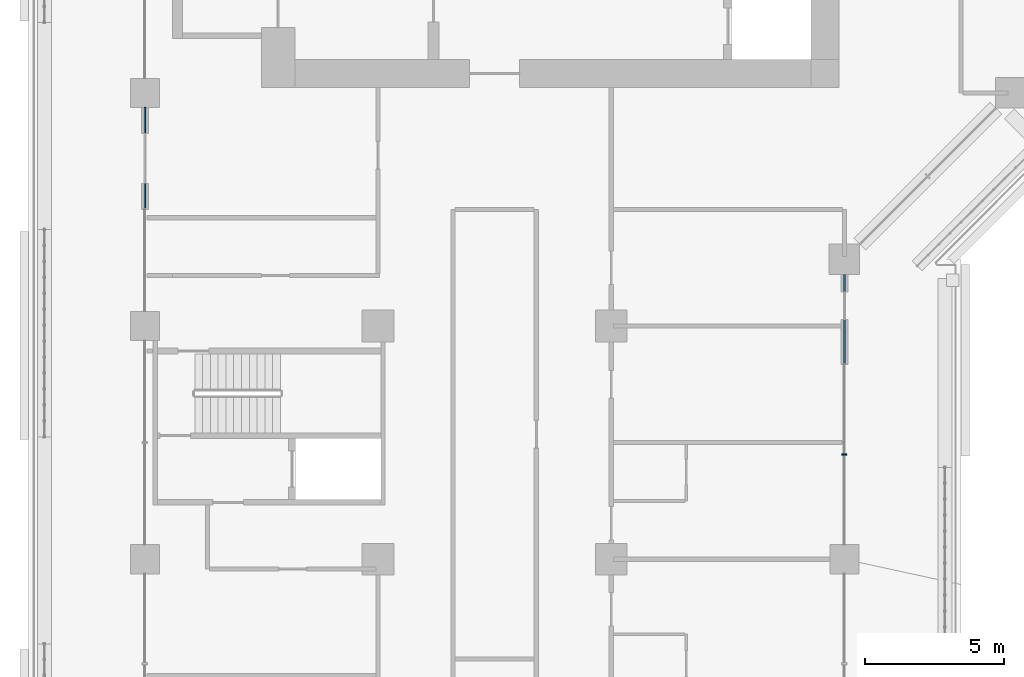
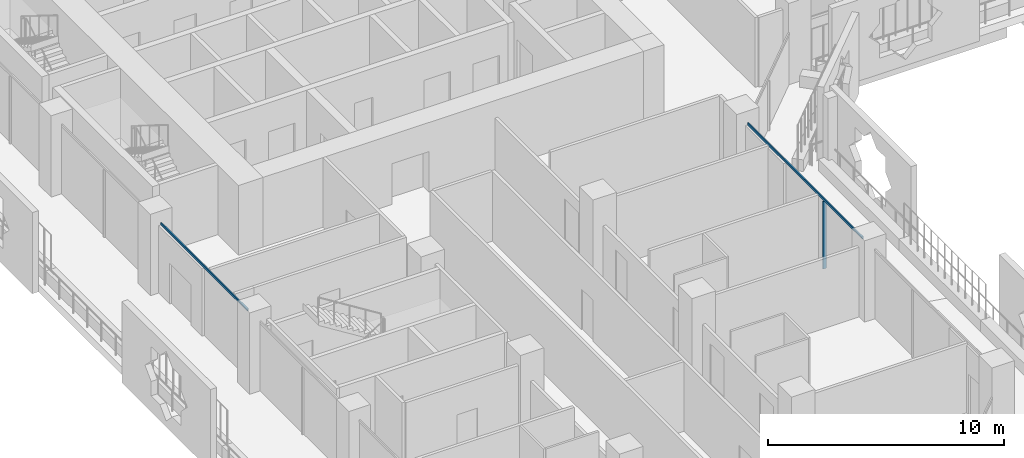
# One storey, part 3 of 25: 3 members, 2 elements without a shape of their own.
"""IFC4 building model written with IfcOpenShell, lengths in metres."""

from ifc_helpers import new_model, si_unit, direction, frame, origin, origin_2d, place, context, subcontext, project, spatial, rectangle, extrude, material, layer, layer_set, material_profile, profile_set, type_object, element, aggregate, save


model = new_model("IFC4")

# Units and contexts
model_context = context("Model", 3, precision=1e-05, world=origin(), true_north=direction((0.0, 1.0)))
body_context = subcontext(model_context, "Body", "Model", "MODEL_VIEW")
ifc_project = project(units=[si_unit("LENGTHUNIT", "METRE"), si_unit("AREAUNIT", "SQUARE_METRE"), si_unit("VOLUMEUNIT", "CUBIC_METRE"), si_unit("PLANEANGLEUNIT", "RADIAN"), si_unit("MASSUNIT", "GRAM", prefix="KILO")], contexts=[model_context])

# Site, building, storey
site_placement = place(None, origin())
site = spatial("IfcSite", under=ifc_project, at=site_placement, CompositionType="ELEMENT")
building_placement = place(site_placement, origin())
building = spatial("IfcBuilding", under=site, at=building_placement, Name="Kawkab Arch Medical Tower", CompositionType="ELEMENT")
storey_placement = place(building_placement, frame((0.0, 0.0, 140.800048828125)))
storey = spatial("IfcBuildingStorey", under=building, at=storey_placement, Name="L32", CompositionType="ELEMENT", Elevation=140.800048828125)

# Curtain wall, member
ifc_material_1 = material(Name="Bronze anodised aluminium curtain wall frame", Category="aluminium")
ifc_layer = layer(ifc_material_1, 0.159912109375)
ifc_layer_set = layer_set([ifc_layer], Name="Bronze anodised aluminium curtain wall frame")
curtain_wall_type = type_object("IfcCurtainWallType", Name="CW1 ward curtain wall", PredefinedType="NOTDEFINED", material=ifc_layer_set)
placement = place(storey_placement, origin())
curtain_wall_1 = element("IfcCurtainWall", 1, at=placement, inside=storey, type_object=curtain_wall_type, Name="CW1 Ward curtain wall R05", PredefinedType="NOTDEFINED")
ifc_material_2 = material(Name="Bronze anodised aluminium curtain wall frame", Category="aluminium")
ifc_material_profile_1 = material_profile(ifc_material_2, rectangle(XDim=0.179931640625, YDim=0.06005859375, at=origin_2d()), Name="AL 60x180")
ifc_profile_set_1 = profile_set([ifc_material_profile_1], Name="Bronze anodised aluminium curtain wall frame")
member_type_1 = type_object("IfcMemberType", Name="CW1 mullion 60 x 180", PredefinedType="MULLION", material=ifc_profile_set_1)
member_1_placement = place(storey_placement, frame((25.199951171875, -38.2333984375, 0.0), z_axis=(0.0, 0.0, 1.0), x_axis=(-1.0, 0.0, 0.0)))
member_1 = element("IfcMember", 2, at=member_1_placement, type_object=member_type_1, Name="CW1 mullion 2.1", PredefinedType="MULLION", context=body_context, shape_type="SweptSolid", body=[
    extrude(rectangle(XDim=0.179931640625, YDim=0.06005859375, at=origin_2d()), origin(), (0.0, 0.0, 1.0), 3.47998046875),
])

curtain_wall_2 = element("IfcCurtainWall", 3, at=placement, inside=storey, type_object=curtain_wall_type, Name="CW1 Ward curtain wall R01", PredefinedType="NOTDEFINED")
ifc_material_3 = material(Name="Bronze anodised aluminium curtain wall frame", Category="aluminium")
ifc_material_profile_2 = material_profile(ifc_material_3, rectangle(XDim=0.06005859375, YDim=0.1201171875, at=origin_2d()), Name="AL 60x120")
ifc_profile_set_2 = profile_set([ifc_material_profile_2], Name="Bronze anodised aluminium curtain wall frame")
member_type_2 = type_object("IfcMemberType", Name="CW1 transom 120 x 60", PredefinedType="USERDEFINED", material=ifc_profile_set_2)
member_2_placement = place(storey_placement, frame((0.0, -25.72509765625, 3.5400390625), z_axis=(0.0, -1.0, 0.0), x_axis=(1.0, 0.0, 0.0)))
member_2 = element("IfcMember", 4, at=member_2_placement, type_object=member_type_2, Name="CW1 transom 4", ObjectType="TRANSOM", PredefinedType="USERDEFINED", context=body_context, shape_type="SweptSolid", body=[
    extrude(rectangle(XDim=0.06005859375, YDim=0.1201171875, at=origin_2d()), origin(), (0.0, 0.0, 1.0), 7.349853515625),
])
aggregate(curtain_wall_2, [member_2])

# Member
member_3_placement = place(storey_placement, frame((25.199951171875, -41.47509765625, 3.5400390625), z_axis=(0.0, 1.0, 0.0), x_axis=(-1.0, 0.0, 0.0)))
member_3 = element("IfcMember", 5, at=member_3_placement, type_object=member_type_2, Name="CW1 transom 2", ObjectType="TRANSOM", PredefinedType="USERDEFINED", context=body_context, shape_type="SweptSolid", body=[
    extrude(rectangle(XDim=0.06005859375, YDim=0.1201171875, at=origin_2d()), origin(), (0.0, 0.0, 1.0), 9.72509765625),
])

aggregate(curtain_wall_1, [member_3, member_1])

save(model, "model.ifc")
